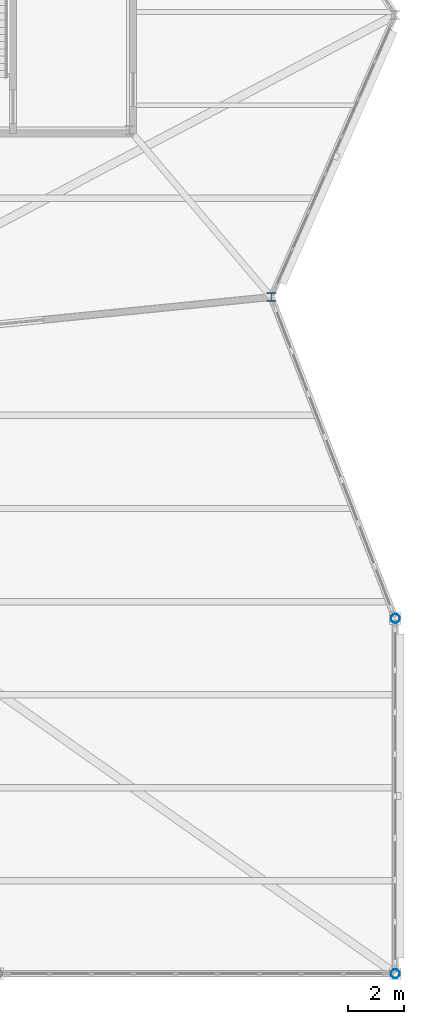
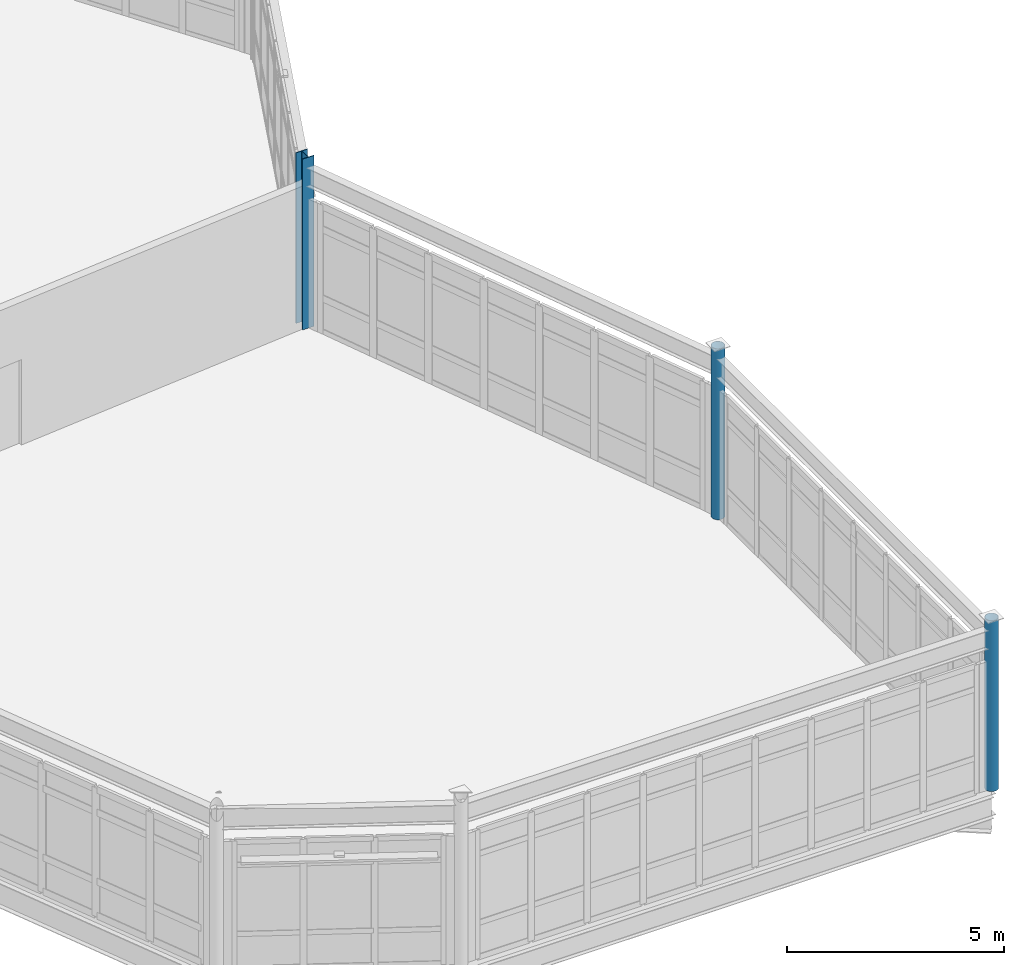
# One storey, part 20 of 134: 3 columns.
"""IFC4 building model written with IfcOpenShell, lengths in metres."""

import ifcopenshell
import ifcopenshell.guid

model = None  # the IFC model being written
_history = None  # IfcOwnerHistory: only IFC2X3 demands one
_inside = {}  # id of a spatial element -> (the spatial element, [elements in it])
_under = {}  # id of a project, library or spatial element -> (it, [spatial elements below it])
_declared = {}  # id of a project -> (the project, [libraries it declares])
_typed = {}  # id of a type object -> (the type object, [elements of that type])
_made_of = {}  # id of a material, layer set ... -> (it, [elements and type objects made of it])


def new_model(schema):
    """Start an empty IFC model of exactly this schema.

    Asked for "IFC4X3", IfcOpenShell would pick the latest addendum, in which some entities
    have other attributes; the version numbers below select the first issue.
    IFC2X3 requires an IfcOwnerHistory on every rooted entity: one is made here for all.
    """
    global model, _history
    if schema == "IFC4X3":
        model = ifcopenshell.file(schema_version=(4, 3, 0, 0))
    else:
        model = ifcopenshell.file(schema=schema)
    _inside.clear()
    _under.clear()
    _declared.clear()
    _typed.clear()
    _made_of.clear()
    _history = None
    if model.schema == "IFC2X3":
        org = make("IfcOrganization", Name="unknown")
        user = make(
            "IfcPersonAndOrganization",
            ThePerson=make("IfcPerson", FamilyName="unknown"),
            TheOrganization=org,
        )
        app = make(
            "IfcApplication",
            ApplicationDeveloper=org,
            Version="unknown",
            ApplicationFullName="unknown",
            ApplicationIdentifier="unknown",
        )
        _history = make(
            "IfcOwnerHistory",
            OwningUser=user,
            OwningApplication=app,
            ChangeAction="ADDED",
            CreationDate=0,
        )
    return model


def make(cls, **values):
    """One entity of the class cls with the attributes given. An attribute that is None is left unset."""
    return model.create_entity(
        cls, **{name: value for name, value in values.items() if value is not None}
    )


def rooted(cls, **values):
    """An entity with a GlobalId (a new one), such as an element, a storey or a relation."""
    return make(cls, GlobalId=ifcopenshell.guid.new(), OwnerHistory=_history, **values)


def si_unit(unit_type, name, prefix=None):
    """IfcSIUnit, for example si_unit("LENGTHUNIT", "METRE", prefix="MILLI")."""
    return make("IfcSIUnit", UnitType=unit_type, Prefix=prefix, Name=name)


def assignment(units):
    """IfcUnitAssignment: the units of a project."""
    return None if units is None else make("IfcUnitAssignment", Units=units)


def point(xyz):
    """IfcCartesianPoint."""
    return None if xyz is None else make("IfcCartesianPoint", Coordinates=xyz)


def direction(xyz):
    """IfcDirection."""
    return None if xyz is None else make("IfcDirection", DirectionRatios=xyz)


def frame(location, z_axis=None, x_axis=None):
    """IfcAxis2Placement3D, a coordinate frame: its origin and axes. An axis left out is left unset."""
    return make(
        "IfcAxis2Placement3D",
        Location=point(location),
        Axis=direction(z_axis),
        RefDirection=direction(x_axis),
    )


def frame_2d(location, x_axis=None):
    """IfcAxis2Placement2D, a coordinate frame in the plane: its origin and x axis."""
    return make(
        "IfcAxis2Placement2D", Location=point(location), RefDirection=direction(x_axis)
    )


def origin():
    """The frame at (0, 0, 0) with its axes left unset."""
    return frame((0.0, 0.0, 0.0))


def origin_2d():
    """The frame at (0, 0) in the plane with its x axis left unset."""
    return frame_2d((0.0, 0.0))


def place(relative_to, where):
    """IfcLocalPlacement: puts the frame where relative to a parent placement (None: the world)."""
    return make(
        "IfcLocalPlacement", PlacementRelTo=relative_to, RelativePlacement=where
    )


def context(
    kind, dimensions, precision=None, world=None, true_north=None, identifier=None
):
    """IfcGeometricRepresentationContext, for example the 3D "Model" context."""
    return make(
        "IfcGeometricRepresentationContext",
        ContextIdentifier=identifier,
        ContextType=kind,
        CoordinateSpaceDimension=dimensions,
        Precision=precision,
        WorldCoordinateSystem=world,
        TrueNorth=true_north,
    )


def subcontext(parent, identifier, kind, view, scale=None):
    """IfcGeometricRepresentationSubContext, for example "Body" below "Model"."""
    return make(
        "IfcGeometricRepresentationSubContext",
        ContextIdentifier=identifier,
        ContextType=kind,
        ParentContext=parent,
        TargetScale=scale,
        TargetView=view,
    )


def project(units=None, contexts=None):
    """IfcProject with its units and contexts."""
    return rooted(
        "IfcProject",
        Name="project",
        RepresentationContexts=contexts,
        UnitsInContext=assignment(units),
    )


def spatial(cls, under=None, at=None, **own):
    """A site, building, storey or space (cls), placed at a placement, below another one or the project."""
    s = rooted(cls, ObjectPlacement=at, **own)
    if under is not None:
        _under.setdefault(under.id(), (under, []))[1].append(s)
    return s


def profile(cls, at=None, kind="AREA", **sizes):
    """A parametric profile (cls). Its sizes go by their IFC names, for example OverallWidth=200.0."""
    return make(cls, ProfileType=kind, Position=at, **sizes)


def hollow_circle(**sizes):
    """IfcCircleHollowProfileDef."""
    return profile("IfcCircleHollowProfileDef", **sizes)


def i_section(**sizes):
    """IfcIShapeProfileDef."""
    return profile("IfcIShapeProfileDef", **sizes)


def extrude(swept, where, along, depth):
    """IfcExtrudedAreaSolid: the profile swept, set in the frame where, extruded along a direction by depth."""
    return make(
        "IfcExtrudedAreaSolid",
        SweptArea=swept,
        Position=where,
        ExtrudedDirection=direction(along),
        Depth=depth,
    )


def shape(context_of_items, identifier, shape_type, items):
    """IfcShapeRepresentation: the items that make up one representation, for example the "Body"."""
    return make(
        "IfcShapeRepresentation",
        ContextOfItems=context_of_items,
        RepresentationIdentifier=identifier,
        RepresentationType=shape_type,
        Items=items,
    )


def material(Name=None, Category=None):
    """IfcMaterial."""
    return make("IfcMaterial", Name=Name, Category=Category)


def material_profile(
    of_material, cross_section, Name=None, Category=None, Priority=None
):
    """IfcMaterialProfile: a cross section and its material."""
    return make(
        "IfcMaterialProfile",
        Name=Name,
        Material=of_material,
        Profile=cross_section,
        Priority=Priority,
        Category=Category,
    )


def profile_set(profiles, Name=None, composite=None):
    """IfcMaterialProfileSet."""
    return make(
        "IfcMaterialProfileSet",
        Name=Name,
        MaterialProfiles=profiles,
        CompositeProfile=composite,
    )


def made_of(thing, what):
    """Note that an element or type object is made of a material, layer set ...; save() writes the relation."""
    if what is not None:
        _made_of.setdefault(what.id(), (what, []))[1].append(thing)
    return thing


def type_object(cls, material=None, **own):
    """A type object (cls), such as IfcWallType, which elements share."""
    return made_of(rooted(cls, **own), material)


def element(
    cls,
    number,
    at=None,
    inside=None,
    cuts=None,
    type_object=None,
    material=None,
    context=None,
    identifier="Body",
    shape_type=None,
    held_by="IfcProductDefinitionShape",
    body=None,
    shapes=None,
    **own,
):
    """One element of the class cls, such as IfcWall. Its Tag is "e" and its number.

    at: its placement. inside: the storey or other place that contains it. cuts: it is an
    opening in that element (IfcRelVoidsElement). A single representation is given by context,
    identifier, shape_type and body (its items); several are given by shapes. held_by: the class
    of the entity that holds the representations. save() writes the other relations.
    """
    e = rooted(cls, Tag="e%d" % number, ObjectPlacement=at, **own)
    if body is not None:
        shapes = [shape(context, identifier, shape_type, body)]
    if shapes is not None:
        e.Representation = make(held_by, Representations=shapes)
    if inside is not None:
        _inside.setdefault(inside.id(), (inside, []))[1].append(e)
    if cuts is not None:
        rooted(
            "IfcRelVoidsElement", RelatingBuildingElement=cuts, RelatedOpeningElement=e
        )
    if type_object is not None:
        _typed.setdefault(type_object.id(), (type_object, []))[1].append(e)
    return made_of(e, material)


def aggregate(whole, parts):
    """IfcRelAggregates: a whole, such as a stair, and the parts it consists of."""
    return rooted("IfcRelAggregates", RelatingObject=whole, RelatedObjects=parts)


def save(model, path):
    """Write the relations noted so far, then the file.

    IfcRelAggregates (storeys below a building ...), IfcRelContainedInSpatialStructure (elements
    in a storey), IfcRelDefinesByType, IfcRelAssociatesMaterial and IfcRelDeclares: one each for
    every whole, place, type object, material and project.
    """
    for whole, parts in _under.values():
        aggregate(whole, parts)
    for where, things in _inside.values():
        rooted(
            "IfcRelContainedInSpatialStructure",
            RelatedElements=things,
            RelatingStructure=where,
        )
    for kind, things in _typed.values():
        rooted("IfcRelDefinesByType", RelatedObjects=things, RelatingType=kind)
    for what, things in _made_of.values():
        rooted("IfcRelAssociatesMaterial", RelatedObjects=things, RelatingMaterial=what)
    for by, libraries in _declared.values():
        rooted("IfcRelDeclares", RelatingContext=by, RelatedDefinitions=libraries)
    model.write(path)


model = new_model("IFC4")

# Units and contexts
model_context = context("Model", 3, precision=1e-05, world=origin(), true_north=direction((0.0, 1.0)))
body_context = subcontext(model_context, "Body", "Model", "MODEL_VIEW")
ifc_project = project(units=[si_unit("LENGTHUNIT", "METRE"), si_unit("AREAUNIT", "SQUARE_METRE"), si_unit("VOLUMEUNIT", "CUBIC_METRE"), si_unit("PLANEANGLEUNIT", "RADIAN"), si_unit("MASSUNIT", "GRAM", prefix="KILO")], contexts=[model_context])

# Site, building, storey
site_placement = place(None, origin())
site = spatial("IfcSite", under=ifc_project, at=site_placement, CompositionType="ELEMENT")
building_placement = place(site_placement, origin())
building = spatial("IfcBuilding", under=site, at=building_placement, Name="Tameran Prism Museum", CompositionType="ELEMENT")
storey_placement = place(building_placement, frame((0.0, 0.0, 5.39990234375)))
storey = spatial("IfcBuildingStorey", under=building, at=storey_placement, Name="L01", CompositionType="ELEMENT", Elevation=5.39990234375)

# Columns
ifc_material_1 = material(Name="Steel Grade C350L0 (350 MPa)", Category="steel")
ifc_material_profile_1 = material_profile(ifc_material_1, hollow_circle(Radius=0.161865234375, WallThickness=0.010009765625, at=origin_2d()))
ifc_profile_set_1 = profile_set([ifc_material_profile_1])
column_type_1 = type_object("IfcColumnType", Name="COL-CHS324", PredefinedType="COLUMN", material=ifc_profile_set_1)
for number, where, z_axis, x_axis, name in (
    (1, (166.39990234375, 0.0, 0.0), (0.0, 0.0, 1.0), (1.0, 0.0, 0.0), "Column CV-68 L01"),
    (2, (166.39990234375, 12.60009765625, 0.0), (0.0, 0.0, 1.0), (1.0, 0.0, 0.0), "Column CV-69 L01"),
):
    element("IfcColumn", number, at=place(storey_placement, frame(where, z_axis=z_axis, x_axis=x_axis)), inside=storey, type_object=column_type_1, Name=name, PredefinedType="COLUMN", context=body_context, shape_type="SweptSolid", body=[
        extrude(hollow_circle(Radius=0.161865234375, WallThickness=0.010009765625, at=origin_2d()), origin(), (0.0, 0.0, 1.0), 4.800048828125),
    ])
ifc_material_2 = material(Name="Steel Grade 300PLUS (300 MPa)", Category="steel")
ifc_material_profile_2 = material_profile(ifc_material_2, i_section(OverallWidth=0.306884765625, OverallDepth=0.31494140625, WebThickness=0.011962890625, FlangeThickness=0.018798828125, FilletRadius=0.0166015625, at=origin_2d()))
ifc_profile_set_2 = profile_set([ifc_material_profile_2])
column_type_2 = type_object("IfcColumnType", Name="COL-UC310C", PredefinedType="COLUMN", material=ifc_profile_set_2)
column_placement = place(storey_placement, frame((162.0, 24.0, 0.0), z_axis=(0.0, 0.0, 1.0), x_axis=(1.0, 0.0, 0.0)))
element("IfcColumn", 3, at=column_placement, inside=storey, type_object=column_type_2, Name="Column CV-66 L01", PredefinedType="COLUMN", context=body_context, shape_type="SweptSolid", body=[
    extrude(i_section(OverallWidth=0.306884765625, OverallDepth=0.31494140625, WebThickness=0.011962890625, FlangeThickness=0.018798828125, FilletRadius=0.0166015625, at=origin_2d()), origin(), (0.0, 0.0, 1.0), 4.800048828125),
])

save(model, "model.ifc")
